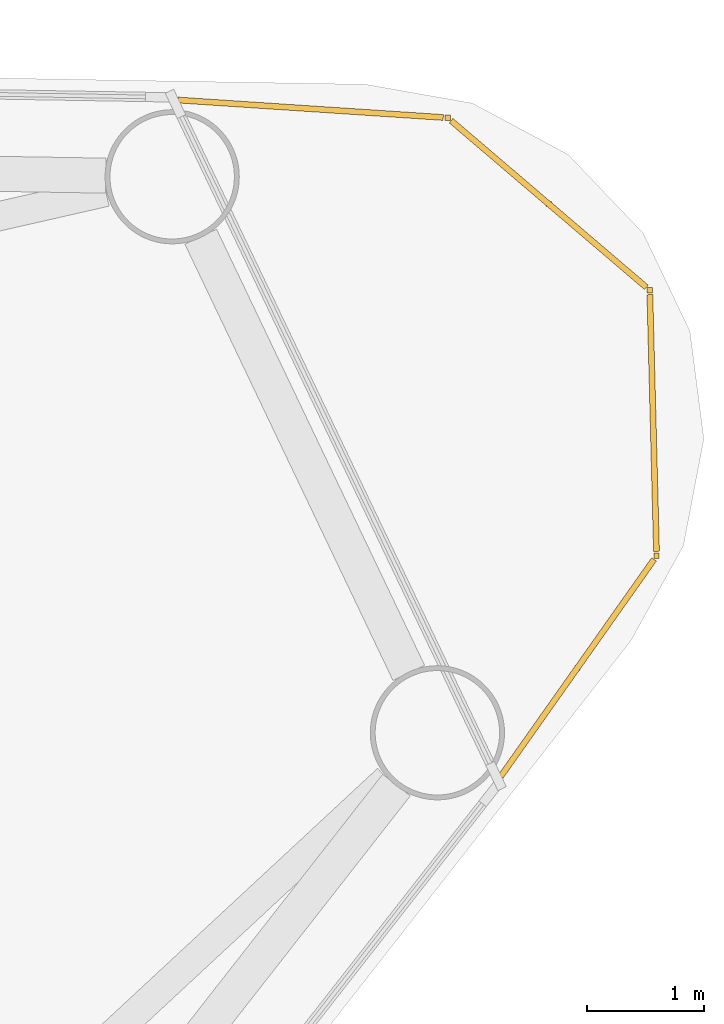
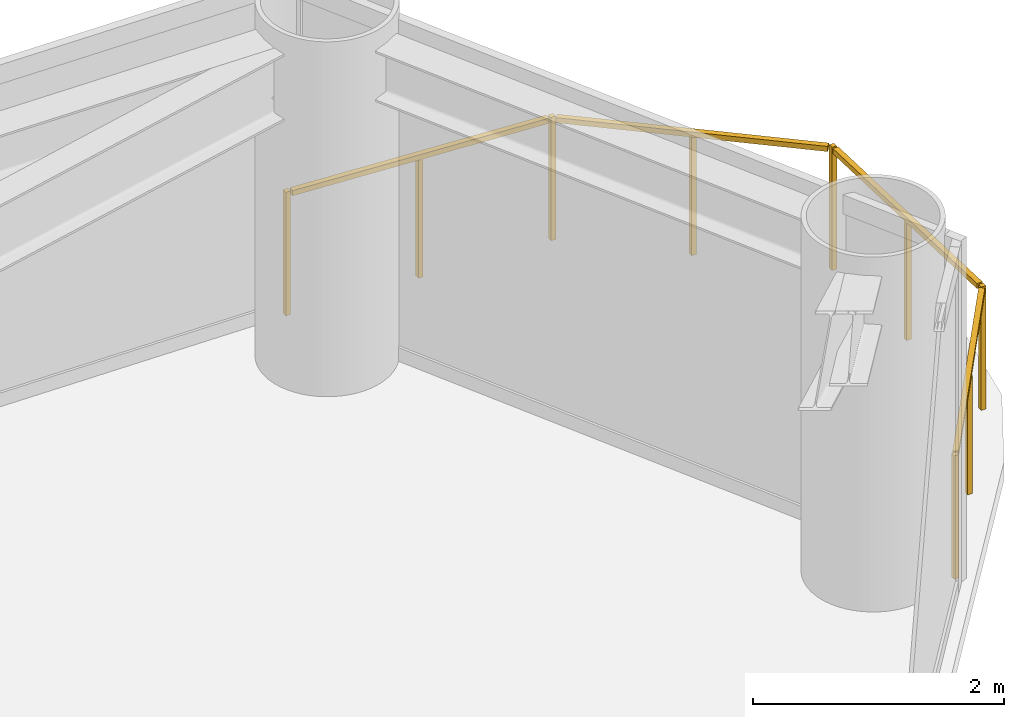
# One storey, part 10 of 10: 1 railing.
"""IFC4 building model written with IfcOpenShell, lengths in metres."""

from ifc_helpers import new_model, si_unit, direction, frame, origin, origin_2d, place, context, subcontext, project, spatial, rectangle, extrude, material, type_object, element, save


model = new_model("IFC4")

# Units and contexts
model_context = context("Model", 3, precision=1e-05, world=origin(), true_north=direction((0.0, 1.0)))
body_context = subcontext(model_context, "Body", "Model", "MODEL_VIEW")
ifc_project = project(units=[si_unit("LENGTHUNIT", "METRE"), si_unit("AREAUNIT", "SQUARE_METRE"), si_unit("VOLUMEUNIT", "CUBIC_METRE"), si_unit("PLANEANGLEUNIT", "RADIAN"), si_unit("MASSUNIT", "GRAM", prefix="KILO")], contexts=[model_context])

# Site, building, storey
site_placement = place(None, origin())
site = spatial("IfcSite", under=ifc_project, at=site_placement, CompositionType="ELEMENT")
building_placement = place(site_placement, origin())
building = spatial("IfcBuilding", under=site, at=building_placement, Name="Yunling Apex Tower", CompositionType="ELEMENT")
storey_placement = place(building_placement, frame((0.0, 0.0, 191.449951171875)))
storey = spatial("IfcBuildingStorey", under=building, at=storey_placement, Name="L46", CompositionType="ELEMENT", Elevation=191.449951171875)

# Railing
ifc_material = material(Name="Bronze anodised aluminium", Category="aluminium")
railing_type = type_object("IfcRailingType", Name="RL-BAL-1200", PredefinedType="BALUSTRADE", material=ifc_material)
railing_placement = place(storey_placement, frame((15.8828125, 11.15380859375, 0.0)))
element("IfcRailing", 1, at=railing_placement, inside=storey, type_object=railing_type, Name="RL-CRNSILL-L46-1", PredefinedType="BALUSTRADE", context=body_context, shape_type="SweptSolid", body=[
    extrude(rectangle(XDim=0.0439453125, YDim=0.0439453125, at=origin_2d()), origin(), (0.0, 0.0, 1.0), 1.199951171875),
    extrude(rectangle(XDim=0.0439453125, YDim=0.0439453125, at=origin_2d()), frame((2.349365234375, -0.154541015625, 0.0)), (0.0, 0.0, 1.0), 1.199951171875),
    extrude(rectangle(XDim=0.050048828125, YDim=0.050048828125, at=origin_2d()), frame((0.038330078125, -0.00244140625, 1.1748046875), z_axis=(0.997843498088, -0.065638047832, 0.0), x_axis=(0.065638047832, 0.997843498088, 0.0)), (0.0, 0.0, 1.0), 2.27783203125),
    extrude(rectangle(XDim=0.0439453125, YDim=0.0439453125, at=origin_2d()), frame((1.1748046875, -0.0771484375, 0.0)), (0.0, 0.0, 1.0), 1.14599609375),
    extrude(rectangle(XDim=0.0439453125, YDim=0.0439453125, at=origin_2d()), frame((4.080322265625, -1.6318359375, 0.0)), (0.0, 0.0, 1.0), 1.199951171875),
    extrude(rectangle(XDim=0.050048828125, YDim=0.050048828125, at=origin_2d()), frame((2.37841796875, -0.179443359375, 1.1748046875), z_axis=(0.760640732553, -0.6491730709, 0.0), x_axis=(0.6491730709, 0.760640732553, 0.0)), (0.0, 0.0, 1.0), 2.198974609375),
    extrude(rectangle(XDim=0.0439453125, YDim=0.0439453125, at=origin_2d()), frame((3.21484375, -0.89306640625, 0.0)), (0.0, 0.0, 1.0), 1.14599609375),
    extrude(rectangle(XDim=0.0439453125, YDim=0.0439453125, at=origin_2d()), frame((4.138916015625, -3.90673828125, 0.0)), (0.0, 0.0, 1.0), 1.199951171875),
    extrude(rectangle(XDim=0.050048828125, YDim=0.050048828125, at=origin_2d()), frame((4.081298828125, -1.670166015625, 1.1748046875), z_axis=(0.025748060881, -0.999668463722, 0.0), x_axis=(0.999668463722, 0.025748060881, 0.0)), (0.0, 0.0, 1.0), 2.198974609375),
    extrude(rectangle(XDim=0.0439453125, YDim=0.0439453125, at=origin_2d()), frame((4.109619140625, -2.769287109375, 0.0)), (0.0, 0.0, 1.0), 1.14599609375),
    extrude(rectangle(XDim=0.0439453125, YDim=0.0439453125, at=origin_2d()), frame((2.78076171875, -5.829833984375, 0.0)), (0.0, 0.0, 1.0), 1.199951171875),
    extrude(rectangle(XDim=0.050048828125, YDim=0.050048828125, at=origin_2d()), frame((4.11669921875, -3.93798828125, 1.1748046875), z_axis=(-0.57687453298, -0.81683276942, 0.0), x_axis=(0.81683276942, -0.57687453298, 0.0)), (0.0, 0.0, 1.0), 2.277587890625),
    extrude(rectangle(XDim=0.0439453125, YDim=0.0439453125, at=origin_2d()), frame((3.4599609375, -4.8681640625, 0.0)), (0.0, 0.0, 1.0), 1.14599609375),
])

save(model, "model.ifc")
